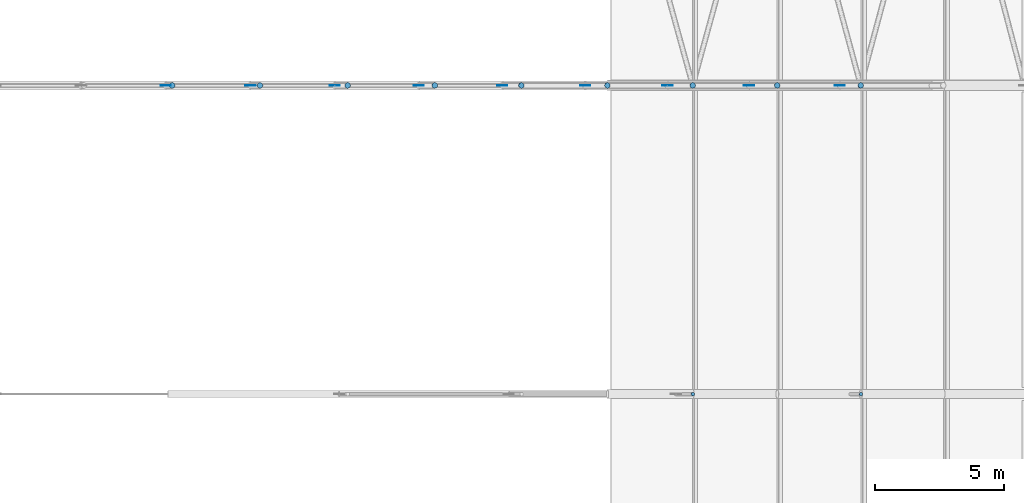
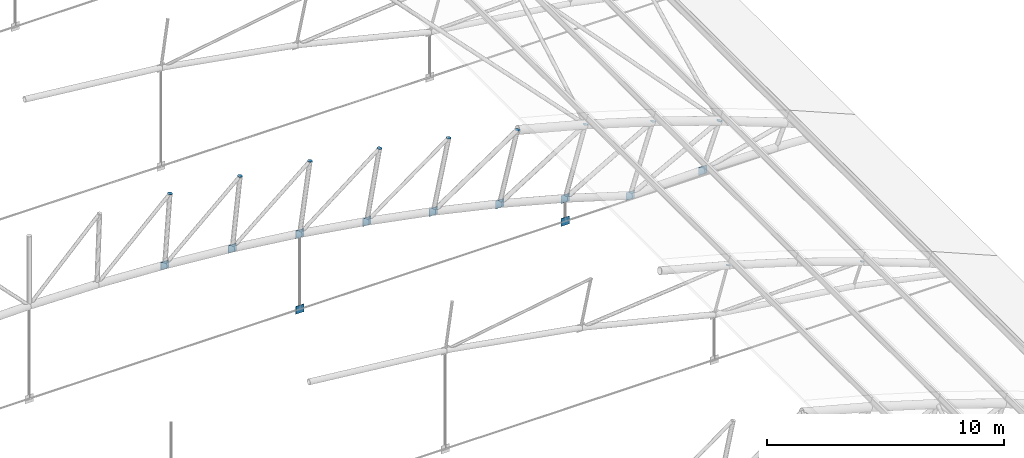
# One storey, part 278 of 321: 22 discrete accessories.
"""IFC4 building model written with IfcOpenShell, lengths in metres."""

import ifcopenshell
import ifcopenshell.guid

model = None  # the IFC model being written
_history = None  # IfcOwnerHistory: only IFC2X3 demands one
_inside = {}  # id of a spatial element -> (the spatial element, [elements in it])
_under = {}  # id of a project, library or spatial element -> (it, [spatial elements below it])
_declared = {}  # id of a project -> (the project, [libraries it declares])
_typed = {}  # id of a type object -> (the type object, [elements of that type])
_made_of = {}  # id of a material, layer set ... -> (it, [elements and type objects made of it])


def new_model(schema):
    """Start an empty IFC model of exactly this schema.

    Asked for "IFC4X3", IfcOpenShell would pick the latest addendum, in which some entities
    have other attributes; the version numbers below select the first issue.
    IFC2X3 requires an IfcOwnerHistory on every rooted entity: one is made here for all.
    """
    global model, _history
    if schema == "IFC4X3":
        model = ifcopenshell.file(schema_version=(4, 3, 0, 0))
    else:
        model = ifcopenshell.file(schema=schema)
    _inside.clear()
    _under.clear()
    _declared.clear()
    _typed.clear()
    _made_of.clear()
    _history = None
    if model.schema == "IFC2X3":
        org = make("IfcOrganization", Name="unknown")
        user = make(
            "IfcPersonAndOrganization",
            ThePerson=make("IfcPerson", FamilyName="unknown"),
            TheOrganization=org,
        )
        app = make(
            "IfcApplication",
            ApplicationDeveloper=org,
            Version="unknown",
            ApplicationFullName="unknown",
            ApplicationIdentifier="unknown",
        )
        _history = make(
            "IfcOwnerHistory",
            OwningUser=user,
            OwningApplication=app,
            ChangeAction="ADDED",
            CreationDate=0,
        )
    return model


def make(cls, **values):
    """One entity of the class cls with the attributes given. An attribute that is None is left unset."""
    return model.create_entity(
        cls, **{name: value for name, value in values.items() if value is not None}
    )


def rooted(cls, **values):
    """An entity with a GlobalId (a new one), such as an element, a storey or a relation."""
    return make(cls, GlobalId=ifcopenshell.guid.new(), OwnerHistory=_history, **values)


def si_unit(unit_type, name, prefix=None):
    """IfcSIUnit, for example si_unit("LENGTHUNIT", "METRE", prefix="MILLI")."""
    return make("IfcSIUnit", UnitType=unit_type, Prefix=prefix, Name=name)


def assignment(units):
    """IfcUnitAssignment: the units of a project."""
    return None if units is None else make("IfcUnitAssignment", Units=units)


def point(xyz):
    """IfcCartesianPoint."""
    return None if xyz is None else make("IfcCartesianPoint", Coordinates=xyz)


def direction(xyz):
    """IfcDirection."""
    return None if xyz is None else make("IfcDirection", DirectionRatios=xyz)


def frame(location, z_axis=None, x_axis=None):
    """IfcAxis2Placement3D, a coordinate frame: its origin and axes. An axis left out is left unset."""
    return make(
        "IfcAxis2Placement3D",
        Location=point(location),
        Axis=direction(z_axis),
        RefDirection=direction(x_axis),
    )


def frame_2d(location, x_axis=None):
    """IfcAxis2Placement2D, a coordinate frame in the plane: its origin and x axis."""
    return make(
        "IfcAxis2Placement2D", Location=point(location), RefDirection=direction(x_axis)
    )


def origin():
    """The frame at (0, 0, 0) with its axes left unset."""
    return frame((0.0, 0.0, 0.0))


def origin_2d():
    """The frame at (0, 0) in the plane with its x axis left unset."""
    return frame_2d((0.0, 0.0))


def place(relative_to, where):
    """IfcLocalPlacement: puts the frame where relative to a parent placement (None: the world)."""
    return make(
        "IfcLocalPlacement", PlacementRelTo=relative_to, RelativePlacement=where
    )


def context(
    kind, dimensions, precision=None, world=None, true_north=None, identifier=None
):
    """IfcGeometricRepresentationContext, for example the 3D "Model" context."""
    return make(
        "IfcGeometricRepresentationContext",
        ContextIdentifier=identifier,
        ContextType=kind,
        CoordinateSpaceDimension=dimensions,
        Precision=precision,
        WorldCoordinateSystem=world,
        TrueNorth=true_north,
    )


def subcontext(parent, identifier, kind, view, scale=None):
    """IfcGeometricRepresentationSubContext, for example "Body" below "Model"."""
    return make(
        "IfcGeometricRepresentationSubContext",
        ContextIdentifier=identifier,
        ContextType=kind,
        ParentContext=parent,
        TargetScale=scale,
        TargetView=view,
    )


def project(units=None, contexts=None):
    """IfcProject with its units and contexts."""
    return rooted(
        "IfcProject",
        Name="project",
        RepresentationContexts=contexts,
        UnitsInContext=assignment(units),
    )


def spatial(cls, under=None, at=None, **own):
    """A site, building, storey or space (cls), placed at a placement, below another one or the project."""
    s = rooted(cls, ObjectPlacement=at, **own)
    if under is not None:
        _under.setdefault(under.id(), (under, []))[1].append(s)
    return s


def profile(cls, at=None, kind="AREA", **sizes):
    """A parametric profile (cls). Its sizes go by their IFC names, for example OverallWidth=200.0."""
    return make(cls, ProfileType=kind, Position=at, **sizes)


def rectangle(**sizes):
    """IfcRectangleProfileDef."""
    return profile("IfcRectangleProfileDef", **sizes)


def circle(**sizes):
    """IfcCircleProfileDef."""
    return profile("IfcCircleProfileDef", **sizes)


def extrude(swept, where, along, depth):
    """IfcExtrudedAreaSolid: the profile swept, set in the frame where, extruded along a direction by depth."""
    return make(
        "IfcExtrudedAreaSolid",
        SweptArea=swept,
        Position=where,
        ExtrudedDirection=direction(along),
        Depth=depth,
    )


def shape(context_of_items, identifier, shape_type, items):
    """IfcShapeRepresentation: the items that make up one representation, for example the "Body"."""
    return make(
        "IfcShapeRepresentation",
        ContextOfItems=context_of_items,
        RepresentationIdentifier=identifier,
        RepresentationType=shape_type,
        Items=items,
    )


def material(Name=None, Category=None):
    """IfcMaterial."""
    return make("IfcMaterial", Name=Name, Category=Category)


def material_profile(
    of_material, cross_section, Name=None, Category=None, Priority=None
):
    """IfcMaterialProfile: a cross section and its material."""
    return make(
        "IfcMaterialProfile",
        Name=Name,
        Material=of_material,
        Profile=cross_section,
        Priority=Priority,
        Category=Category,
    )


def profile_set(profiles, Name=None, composite=None):
    """IfcMaterialProfileSet."""
    return make(
        "IfcMaterialProfileSet",
        Name=Name,
        MaterialProfiles=profiles,
        CompositeProfile=composite,
    )


def made_of(thing, what):
    """Note that an element or type object is made of a material, layer set ...; save() writes the relation."""
    if what is not None:
        _made_of.setdefault(what.id(), (what, []))[1].append(thing)
    return thing


def type_object(cls, material=None, **own):
    """A type object (cls), such as IfcWallType, which elements share."""
    return made_of(rooted(cls, **own), material)


def element(
    cls,
    number,
    at=None,
    inside=None,
    cuts=None,
    type_object=None,
    material=None,
    context=None,
    identifier="Body",
    shape_type=None,
    held_by="IfcProductDefinitionShape",
    body=None,
    shapes=None,
    **own,
):
    """One element of the class cls, such as IfcWall. Its Tag is "e" and its number.

    at: its placement. inside: the storey or other place that contains it. cuts: it is an
    opening in that element (IfcRelVoidsElement). A single representation is given by context,
    identifier, shape_type and body (its items); several are given by shapes. held_by: the class
    of the entity that holds the representations. save() writes the other relations.
    """
    e = rooted(cls, Tag="e%d" % number, ObjectPlacement=at, **own)
    if body is not None:
        shapes = [shape(context, identifier, shape_type, body)]
    if shapes is not None:
        e.Representation = make(held_by, Representations=shapes)
    if inside is not None:
        _inside.setdefault(inside.id(), (inside, []))[1].append(e)
    if cuts is not None:
        rooted(
            "IfcRelVoidsElement", RelatingBuildingElement=cuts, RelatedOpeningElement=e
        )
    if type_object is not None:
        _typed.setdefault(type_object.id(), (type_object, []))[1].append(e)
    return made_of(e, material)


def aggregate(whole, parts):
    """IfcRelAggregates: a whole, such as a stair, and the parts it consists of."""
    return rooted("IfcRelAggregates", RelatingObject=whole, RelatedObjects=parts)


def save(model, path):
    """Write the relations noted so far, then the file.

    IfcRelAggregates (storeys below a building ...), IfcRelContainedInSpatialStructure (elements
    in a storey), IfcRelDefinesByType, IfcRelAssociatesMaterial and IfcRelDeclares: one each for
    every whole, place, type object, material and project.
    """
    for whole, parts in _under.values():
        aggregate(whole, parts)
    for where, things in _inside.values():
        rooted(
            "IfcRelContainedInSpatialStructure",
            RelatedElements=things,
            RelatingStructure=where,
        )
    for kind, things in _typed.values():
        rooted("IfcRelDefinesByType", RelatedObjects=things, RelatingType=kind)
    for what, things in _made_of.values():
        rooted("IfcRelAssociatesMaterial", RelatedObjects=things, RelatingMaterial=what)
    for by, libraries in _declared.values():
        rooted("IfcRelDeclares", RelatingContext=by, RelatedDefinitions=libraries)
    model.write(path)


model = new_model("IFC4")

# Units and contexts
model_context = context("Model", 3, precision=1e-05, world=origin(), true_north=direction((0.0, 1.0)))
body_context = subcontext(model_context, "Body", "Model", "MODEL_VIEW")
ifc_project = project(units=[si_unit("LENGTHUNIT", "METRE"), si_unit("AREAUNIT", "SQUARE_METRE"), si_unit("VOLUMEUNIT", "CUBIC_METRE"), si_unit("PLANEANGLEUNIT", "RADIAN"), si_unit("MASSUNIT", "GRAM", prefix="KILO")], contexts=[model_context])

# Site, building, storey
site_placement = place(None, origin())
site = spatial("IfcSite", under=ifc_project, at=site_placement, CompositionType="ELEMENT")
building_placement = place(site_placement, origin())
building = spatial("IfcBuilding", under=site, at=building_placement, Name="Ravi Spectrum Wholesale Market", CompositionType="ELEMENT")
storey_placement = place(building_placement, frame((0.0, 0.0, 10.800048828125)))
storey = spatial("IfcBuildingStorey", under=building, at=storey_placement, Name="L02", CompositionType="ELEMENT", Elevation=10.800048828125)

# Discrete accessories
ifc_material_1 = material(Name="Steel S355", Category="steel")
ifc_material_profile_1 = material_profile(ifc_material_1, circle(Radius=0.06982421875, at=origin_2d()))
ifc_profile_set_1 = profile_set([ifc_material_profile_1], Name="Steel S355")
discrete_accessory_type_1 = type_object("IfcDiscreteAccessoryType", Name="End plate CHS 139.7x5", PredefinedType="BRACKET", material=ifc_profile_set_1)
for number, where, z_axis, x_axis, name in (
    (1, (97.103759765625, 90.0, 4.661376953125), (0.266586054538, 0.0, 0.963811120254), (0.0, 1.0, 0.0), "End plate"),
    (2, (103.636962890625, 90.0, 2.56494140625), (0.346650140872, 0.0, 0.937994498829), (0.0, 1.0, 0.0), "End plate"),
):
    element("IfcDiscreteAccessory", number, at=place(storey_placement, frame(where, z_axis=z_axis, x_axis=x_axis)), inside=storey, type_object=discrete_accessory_type_1, Name=name, PredefinedType="BRACKET", context=body_context, shape_type="SweptSolid", body=[
        extrude(circle(Radius=0.06982421875, at=origin_2d()), origin(), (0.0, 0.0, 1.0), 0.011962890625),
    ])
ifc_material_2 = material(Name="Steel S355", Category="steel")
ifc_material_profile_2 = material_profile(ifc_material_2, circle(Radius=0.109619140625, at=origin_2d()))
ifc_profile_set_2 = profile_set([ifc_material_profile_2], Name="Steel S355")
discrete_accessory_type_2 = type_object("IfcDiscreteAccessoryType", Name="End plate CHS 219.1x8", PredefinedType="BRACKET", material=ifc_profile_set_2)
for number, where, z_axis, x_axis, name in (
    (3, (76.85546875, 102.0, 8.163330078125), (0.081362009455, 0.0, 0.996684615823), (0.0, 1.0, 0.0), "End plate"),
    (4, (80.273193359375, 102.0, 7.867919921875), (0.101513688013, 0.0, 0.994834142531), (0.0, 1.0, 0.0), "End plate"),
    (5, (83.678466796875, 102.0, 7.45458984375), (0.141421356237, 0.0, 0.989949493661), (0.0, 1.0, 0.0), "End plate"),
    (6, (87.0673828125, 102.0, 6.92431640625), (0.18428853505, 0.0, 0.982872186934), (0.0, 1.0, 0.0), "End plate"),
    (7, (90.436279296875, 102.0, 6.27734375), (0.203954254112, 0.0, 0.978980419738), (0.0, 1.0, 0.0), "End plate"),
    (8, (93.78076171875, 102.0, 5.514404296875), (0.223376156329, 0.0, 0.974732318528), (0.0, 1.0, 0.0), "End plate"),
):
    element("IfcDiscreteAccessory", number, at=place(storey_placement, frame(where, z_axis=z_axis, x_axis=x_axis)), inside=storey, type_object=discrete_accessory_type_2, Name=name, PredefinedType="BRACKET", context=body_context, shape_type="SweptSolid", body=[
        extrude(circle(Radius=0.109619140625, at=origin_2d()), origin(), (0.0, 0.0, 1.0), 0.011962890625),
    ])
discrete_accessory_1_placement = place(storey_placement, frame((97.096923828125, 102.0, 4.63671875), z_axis=(0.261415475728, 0.0, 0.96522637192), x_axis=(0.0, 1.0, 0.0)))
element("IfcDiscreteAccessory", 9, at=discrete_accessory_1_placement, inside=storey, type_object=discrete_accessory_type_2, Name="End plate", PredefinedType="BRACKET", context=body_context, shape_type="SweptSolid", body=[
    extrude(circle(Radius=0.109619140625, at=origin_2d()), origin(), (0.0, 0.0, 1.0), 0.01220703125),
])
for number, where, z_axis, x_axis, name in (
    (10, (100.380615234375, 102.0, 3.645263671875), (0.304040173793, 0.0, 0.952659211219), (0.0, 1.0, 0.0), "End plate"),
    (11, (103.62841796875, 102.0, 2.541015625), (0.346650140872, 0.0, 0.937994498829), (0.0, 1.0, 0.0), "End plate"),
):
    element("IfcDiscreteAccessory", number, at=place(storey_placement, frame(where, z_axis=z_axis, x_axis=x_axis)), inside=storey, type_object=discrete_accessory_type_2, Name=name, PredefinedType="BRACKET", context=body_context, shape_type="SweptSolid", body=[
        extrude(circle(Radius=0.109619140625, at=origin_2d()), origin(), (0.0, 0.0, 1.0), 0.011962890625),
    ])
ifc_material_3 = material(Name="Steel S355", Category="steel")
ifc_material_profile_3 = material_profile(ifc_material_3, rectangle(XDim=0.39990234375, YDim=0.02001953125, at=origin_2d()))
ifc_profile_set_3 = profile_set([ifc_material_profile_3], Name="Steel S355")
discrete_accessory_type_3 = type_object("IfcDiscreteAccessoryType", Name="Gusset plate 400x400x20", PredefinedType="BRACKET", material=ifc_profile_set_3)
discrete_accessory_2_placement = place(storey_placement, frame((76.607421875, 102.0, 4.371826171875), z_axis=(0.0, 0.0, 1.0), x_axis=(-1.0, 0.0, 0.0)))
element("IfcDiscreteAccessory", 12, at=discrete_accessory_2_placement, inside=storey, type_object=discrete_accessory_type_3, Name="Gusset plate", PredefinedType="BRACKET", context=body_context, shape_type="SweptSolid", body=[
    extrude(rectangle(XDim=0.39990234375, YDim=0.02001953125, at=origin_2d()), origin(), (0.0, 0.0, 1.0), 0.400146484375),
])
for number, where, z_axis, x_axis, name in (
    (13, (79.901123046875, 102.0, 4.087158203125), (0.0, 0.0, 1.0), (-1.0, 0.0, 0.0), "Gusset plate"),
    (14, (83.18310546875, 102.0, -0.199951171875), (0.0, 0.0, 1.0), (1.0, 0.0, 0.0), "Gusset plate"),
    (15, (83.18310546875, 102.0, 3.68896484375), (0.0, 0.0, 1.0), (-1.0, 0.0, 0.0), "Gusset plate"),
    (16, (86.44970703125, 102.0, 3.177734375), (0.0, 0.0, 1.0), (-1.0, 0.0, 0.0), "Gusset plate"),
    (17, (89.6962890625, 102.0, 2.55419921875), (0.0, 0.0, 1.0), (-1.0, 0.0, 0.0), "Gusset plate"),
    (18, (92.919677734375, 102.0, 1.819091796875), (0.0, 0.0, 1.0), (-1.0, 0.0, 0.0), "Gusset plate"),
    (19, (96.11572265625, 102.0, -0.199951171875), (0.0, 0.0, 1.0), (1.0, 0.0, 0.0), "Gusset plate"),
    (20, (96.11572265625, 102.0, 0.97314453125), (0.0, 0.0, 1.0), (-1.0, 0.0, 0.0), "Gusset plate"),
):
    element("IfcDiscreteAccessory", number, at=place(storey_placement, frame(where, z_axis=z_axis, x_axis=x_axis)), inside=storey, type_object=discrete_accessory_type_3, Name=name, PredefinedType="BRACKET", context=body_context, shape_type="SweptSolid", body=[
        extrude(rectangle(XDim=0.39990234375, YDim=0.02001953125, at=origin_2d()), origin(), (0.0, 0.0, 1.0), 0.39990234375),
    ])
discrete_accessory_3_placement = place(storey_placement, frame((99.28076171875, 102.0, 0.017333984375), z_axis=(0.0, 0.0, 1.0), x_axis=(-1.0, 0.0, 0.0)))
element("IfcDiscreteAccessory", 21, at=discrete_accessory_3_placement, inside=storey, type_object=discrete_accessory_type_3, Name="Gusset plate", PredefinedType="BRACKET", context=body_context, shape_type="SweptSolid", body=[
    extrude(rectangle(XDim=0.39990234375, YDim=0.02001953125, at=origin_2d()), origin(), (0.0, 0.0, 1.0), 0.400146484375),
])
discrete_accessory_4_placement = place(storey_placement, frame((102.81689453125, 102.0, 0.08251953125), z_axis=(0.0, 0.0, 1.0), x_axis=(-1.0, 0.0, 0.0)))
element("IfcDiscreteAccessory", 22, at=discrete_accessory_4_placement, inside=storey, type_object=discrete_accessory_type_3, Name="Gusset plate", PredefinedType="BRACKET", context=body_context, shape_type="SweptSolid", body=[
    extrude(rectangle(XDim=0.39990234375, YDim=0.02001953125, at=origin_2d()), origin(), (0.0, 0.0, 1.0), 0.39990234375),
])

save(model, "model.ifc")
